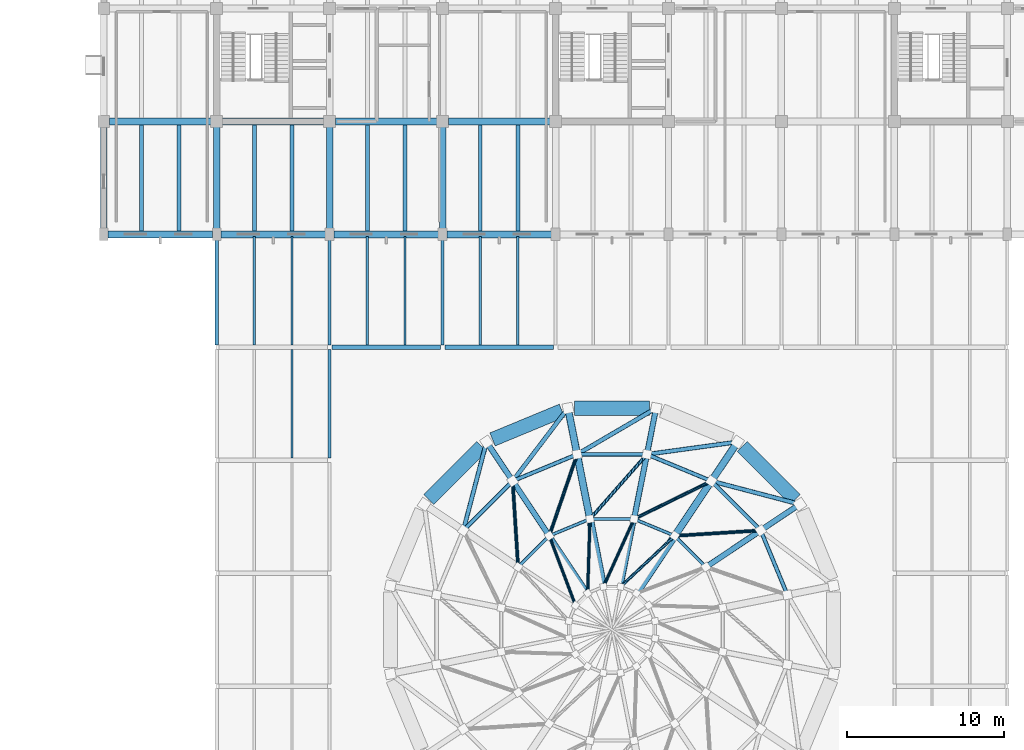
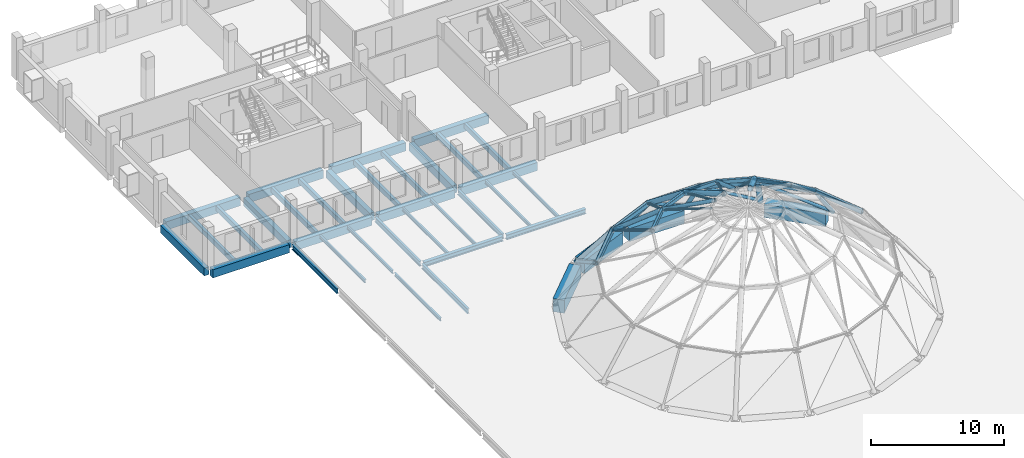
# One storey, part 10 of 32: 48 beams, 28 members.
"""IFC4 building model written with IfcOpenShell, lengths in metres."""

from ifc_helpers import new_model, si_unit, direction, frame, origin, origin_2d, place, context, subcontext, project, spatial, rectangle, hollow_rectangle, hollow_circle, i_section, extrude, material, material_profile, profile_set, type_object, element, save


model = new_model("IFC4")

# Units and contexts
model_context = context("Model", 3, precision=1e-05, world=origin(), true_north=direction((0.0, 1.0)))
body_context = subcontext(model_context, "Body", "Model", "MODEL_VIEW")
ifc_project = project(units=[si_unit("LENGTHUNIT", "METRE"), si_unit("AREAUNIT", "SQUARE_METRE"), si_unit("VOLUMEUNIT", "CUBIC_METRE"), si_unit("PLANEANGLEUNIT", "RADIAN"), si_unit("MASSUNIT", "GRAM", prefix="KILO")], contexts=[model_context])

# Site, building, storey
site_placement = place(None, origin())
site = spatial("IfcSite", under=ifc_project, at=site_placement, CompositionType="ELEMENT")
building_placement = place(site_placement, origin())
building = spatial("IfcBuilding", under=site, at=building_placement, Name="Qiaolan Assembly House", CompositionType="ELEMENT")
storey_placement = place(building_placement, frame((0.0, 0.0, 18.60009765625)))
storey = spatial("IfcBuildingStorey", under=building, at=storey_placement, Name="L04", CompositionType="ELEMENT", Elevation=18.60009765625)

# Beams
ifc_material_1 = material(Name="Steel Q355B", Category="steel")
ifc_material_profile_1 = material_profile(ifc_material_1, hollow_rectangle(XDim=0.199951171875, YDim=0.35009765625, WallThickness=0.010009765625, InnerFilletRadius=0.010009765625, OuterFilletRadius=0.02001953125, at=origin_2d()), Name="RHS 350x200x10")
ifc_profile_set_1 = profile_set([ifc_material_profile_1], Name="Steel Q355B")
beam_type_1 = type_object("IfcBeamType", Name="BM-DOME-RING-RHS350", PredefinedType="BEAM", material=ifc_profile_set_1)
beam_1_placement = place(storey_placement, frame((74.443115234375, 65.1435546875, 7.0), z_axis=(-0.707106781187, 0.707106781187, 0.0), x_axis=(-0.707106781187, -0.707106781187, 0.0)))
element("IfcBeam", 1, at=beam_1_placement, inside=storey, type_object=beam_type_1, Name="DB-02 dome circumferential steel ring T2-2", PredefinedType="BEAM", context=body_context, shape_type="SweptSolid", body=[
    extrude(hollow_rectangle(XDim=0.199951171875, YDim=0.35009765625, WallThickness=0.010009765625, InnerFilletRadius=0.010009765625, OuterFilletRadius=0.02001953125, at=origin_2d()), origin(), (0.0, 0.0, 1.0), 2.96923828125),
])
for number, where, z_axis, x_axis, name in (
    (2, (72.47412109375, 67.156005859375, 7.0), (-0.923894583631, 0.382647093728, 0.0), (-0.382647093728, -0.923894583631, 0.0), "DB-02 dome circumferential steel ring T2-3"),
    (3, (69.884765625, 68.26171875, 7.0), (-1.0, 0.0, 0.0), (0.0, -1.0, 0.0), "DB-02 dome circumferential steel ring T2-4"),
    (4, (67.0693359375, 68.292236328125, 7.0), (-0.923894583631, -0.382647093728, 0.0), (0.382647093728, -0.923894583631, 0.0), "DB-02 dome circumferential steel ring T2-5"),
):
    element("IfcBeam", number, at=place(storey_placement, frame(where, z_axis=z_axis, x_axis=x_axis)), inside=storey, type_object=beam_type_1, Name=name, PredefinedType="BEAM", context=body_context, shape_type="SweptSolid", body=[
        extrude(hollow_rectangle(XDim=0.199951171875, YDim=0.35009765625, WallThickness=0.010009765625, InnerFilletRadius=0.010009765625, OuterFilletRadius=0.02001953125, at=origin_2d()), origin(), (0.0, 0.0, 1.0), 2.969482421875),
    ])
beam_2_placement = place(storey_placement, frame((64.45654296875, 67.2431640625, 7.0), z_axis=(-0.707106781187, -0.707106781187, 0.0), x_axis=(0.707106781187, -0.707106781187, 0.0)))
element("IfcBeam", 5, at=beam_2_placement, inside=storey, type_object=beam_type_1, Name="DB-02 dome circumferential steel ring T2-6", PredefinedType="BEAM", context=body_context, shape_type="SweptSolid", body=[
    extrude(hollow_rectangle(XDim=0.199951171875, YDim=0.35009765625, WallThickness=0.010009765625, InnerFilletRadius=0.010009765625, OuterFilletRadius=0.02001953125, at=origin_2d()), origin(), (0.0, 0.0, 1.0), 2.96923828125),
])
ifc_material_profile_2 = material_profile(ifc_material_1, hollow_rectangle(XDim=0.25, YDim=0.39990234375, WallThickness=0.011962890625, InnerFilletRadius=0.011962890625, OuterFilletRadius=0.02392578125, at=origin_2d()), Name="RHS 400x250x12")
ifc_profile_set_2 = profile_set([ifc_material_profile_2], Name="Steel Q355B")
beam_type_2 = type_object("IfcBeamType", Name="BM-DOME-RING-RHS400", PredefinedType="BEAM", material=ifc_profile_set_2)
beam_3_placement = place(storey_placement, frame((79.611572265625, 63.35009765625, 3.7998046875), z_axis=(-0.382680895379, 0.923880583361, 0.0), x_axis=(-0.923880583361, -0.382680895379, 0.0)))
element("IfcBeam", 6, at=beam_3_placement, inside=storey, type_object=beam_type_2, Name="DB-01 dome circumferential steel ring T1-1", PredefinedType="BEAM", context=body_context, shape_type="SweptSolid", body=[
    extrude(hollow_rectangle(XDim=0.25, YDim=0.39990234375, WallThickness=0.011962890625, InnerFilletRadius=0.011962890625, OuterFilletRadius=0.02392578125, at=origin_2d()), origin(), (0.0, 0.0, 1.0), 4.608154296875),
])
beam_4_placement = place(storey_placement, frame((77.935302734375, 67.47705078125, 3.7998046875), z_axis=(-0.707106781187, 0.707106781187, 0.0), x_axis=(-0.707106781187, -0.707106781187, 0.0)))
element("IfcBeam", 7, at=beam_4_placement, inside=storey, type_object=beam_type_2, Name="DB-01 dome circumferential steel ring T1-2", PredefinedType="BEAM", context=body_context, shape_type="SweptSolid", body=[
    extrude(hollow_rectangle(XDim=0.25, YDim=0.39990234375, WallThickness=0.011962890625, InnerFilletRadius=0.011962890625, OuterFilletRadius=0.02392578125, at=origin_2d()), origin(), (0.0, 0.0, 1.0), 4.60791015625),
])
for number, where, z_axis, x_axis, name in (
    (8, (74.807373046875, 70.648193359375, 3.7998046875), (-0.923880583361, 0.382680895379, 0.0), (-0.382680895379, -0.923880583361, 0.0), "DB-01 dome circumferential steel ring T1-3"),
    (9, (70.7041015625, 72.380859375, 3.7998046875), (-1.0, 0.0, 0.0), (0.0, -1.0, 0.0), "DB-01 dome circumferential steel ring T1-4"),
    (10, (66.25, 72.41162109375, 3.7998046875), (-0.923880583361, -0.382680895379, 0.0), (0.382680895379, -0.923880583361, 0.0), "DB-01 dome circumferential steel ring T1-5"),
):
    element("IfcBeam", number, at=place(storey_placement, frame(where, z_axis=z_axis, x_axis=x_axis)), inside=storey, type_object=beam_type_2, Name=name, PredefinedType="BEAM", context=body_context, shape_type="SweptSolid", body=[
        extrude(hollow_rectangle(XDim=0.25, YDim=0.39990234375, WallThickness=0.011962890625, InnerFilletRadius=0.011962890625, OuterFilletRadius=0.02392578125, at=origin_2d()), origin(), (0.0, 0.0, 1.0), 4.608154296875),
    ])
beam_5_placement = place(storey_placement, frame((62.123046875, 70.7353515625, 3.7998046875), z_axis=(-0.707106781187, -0.707106781187, 0.0), x_axis=(0.707106781187, -0.707106781187, 0.0)))
element("IfcBeam", 11, at=beam_5_placement, inside=storey, type_object=beam_type_2, Name="DB-01 dome circumferential steel ring T1-6", PredefinedType="BEAM", context=body_context, shape_type="SweptSolid", body=[
    extrude(hollow_rectangle(XDim=0.25, YDim=0.39990234375, WallThickness=0.011962890625, InnerFilletRadius=0.011962890625, OuterFilletRadius=0.02392578125, at=origin_2d()), origin(), (0.0, 0.0, 1.0), 4.60791015625),
])
ifc_material_2 = material(Name="Concrete C40/50", Category="concrete")
ifc_material_profile_3 = material_profile(ifc_material_2, rectangle(XDim=0.409912109375, YDim=0.7099609375, at=origin_2d()), Name="RCB 410x710")
ifc_profile_set_3 = profile_set([ifc_material_profile_3], Name="Concrete C40/50")
beam_type_3 = type_object("IfcBeamType", Name="BM-RC-410x710", PredefinedType="BEAM", material=ifc_profile_set_3)
for number, where, z_axis, x_axis, name in (
    (12, (36.0, 86.669921875, -0.585205078125), (0.0, 1.0, 0.0), (-1.0, 0.0, 0.0), "GB-17 beam BMY-NW-L04-00-00"),
    (13, (43.199951171875, 86.669921875, -0.585205078125), (0.0, 1.0, 0.0), (-1.0, 0.0, 0.0), "GB-17 beam BMY-NW-L04-01-00"),
    (14, (50.39990234375, 86.669921875, -0.585205078125), (0.0, 1.0, 0.0), (-1.0, 0.0, 0.0), "GB-17 beam BMY-NW-L04-02-00"),
    (15, (57.60009765625, 86.669921875, -0.585205078125), (0.0, 1.0, 0.0), (-1.0, 0.0, 0.0), "GB-17 beam BMY-NW-L04-03-00"),
):
    element("IfcBeam", number, at=place(storey_placement, frame(where, z_axis=z_axis, x_axis=x_axis)), inside=storey, type_object=beam_type_3, Name=name, PredefinedType="BEAM", context=body_context, shape_type="SweptSolid", body=[
        extrude(rectangle(XDim=0.409912109375, YDim=0.7099609375, at=origin_2d()), origin(), (0.0, 0.0, 1.0), 6.565185546875),
    ])
ifc_material_profile_4 = material_profile(ifc_material_2, rectangle(XDim=0.4599609375, YDim=0.760009765625, at=origin_2d()), Name="RCB 460x760")
ifc_profile_set_4 = profile_set([ifc_material_profile_4], Name="Concrete C40/50")
beam_type_4 = type_object("IfcBeamType", Name="BM-RC-460x760", PredefinedType="BEAM", material=ifc_profile_set_4)
for number, where, z_axis, x_axis, name in (
    (16, (36.27001953125, 86.39990234375, -0.610107421875), (1.0, 0.0, 0.0), (0.0, 1.0, 0.0), "GB-15 beam BMX-NW-L04-00-00"),
    (17, (43.469970703125, 86.39990234375, -0.610107421875), (1.0, 0.0, 0.0), (0.0, 1.0, 0.0), "GB-15 beam BMX-NW-L04-01-00"),
):
    element("IfcBeam", number, at=place(storey_placement, frame(where, z_axis=z_axis, x_axis=x_axis)), inside=storey, type_object=beam_type_4, Name=name, PredefinedType="BEAM", context=body_context, shape_type="SweptSolid", body=[
        extrude(rectangle(XDim=0.4599609375, YDim=0.760009765625, at=origin_2d()), origin(), (0.0, 0.0, 1.0), 6.659912109375),
    ])
beam_6_placement = place(storey_placement, frame((50.669921875, 86.39990234375, -0.610107421875), z_axis=(1.0, 0.0, 0.0), x_axis=(0.0, 1.0, 0.0)))
element("IfcBeam", 18, at=beam_6_placement, inside=storey, type_object=beam_type_4, Name="GB-15 beam BMX-NW-L04-02-00", PredefinedType="BEAM", context=body_context, shape_type="SweptSolid", body=[
    extrude(rectangle(XDim=0.4599609375, YDim=0.760009765625, at=origin_2d()), origin(), (0.0, 0.0, 1.0), 6.66015625),
])
beam_7_placement = place(storey_placement, frame((57.8701171875, 86.39990234375, -0.610107421875), z_axis=(1.0, 0.0, 0.0), x_axis=(0.0, 1.0, 0.0)))
element("IfcBeam", 19, at=beam_7_placement, inside=storey, type_object=beam_type_4, Name="GB-15 beam BMX-NW-L04-03-00", PredefinedType="BEAM", context=body_context, shape_type="SweptSolid", body=[
    extrude(rectangle(XDim=0.4599609375, YDim=0.760009765625, at=origin_2d()), origin(), (0.0, 0.0, 1.0), 6.659912109375),
])
for number, where, z_axis, x_axis, name in (
    (20, (36.364990234375, 93.60009765625, -0.610107421875), (1.0, 0.0, 0.0), (0.0, 1.0, 0.0), "GB-15 beam BMX-NW-L04-00-01"),
    (21, (43.56494140625, 93.60009765625, -0.610107421875), (1.0, 0.0, 0.0), (0.0, 1.0, 0.0), "GB-15 beam BMX-NW-L04-01-01"),
):
    element("IfcBeam", number, at=place(storey_placement, frame(where, z_axis=z_axis, x_axis=x_axis)), inside=storey, type_object=beam_type_4, Name=name, PredefinedType="BEAM", context=body_context, shape_type="SweptSolid", body=[
        extrude(rectangle(XDim=0.4599609375, YDim=0.760009765625, at=origin_2d()), origin(), (0.0, 0.0, 1.0), 6.469970703125),
    ])
beam_8_placement = place(storey_placement, frame((50.764892578125, 93.60009765625, -0.610107421875), z_axis=(1.0, 0.0, 0.0), x_axis=(0.0, 1.0, 0.0)))
element("IfcBeam", 22, at=beam_8_placement, inside=storey, type_object=beam_type_4, Name="GB-15 beam BMX-NW-L04-02-01", PredefinedType="BEAM", context=body_context, shape_type="SweptSolid", body=[
    extrude(rectangle(XDim=0.4599609375, YDim=0.760009765625, at=origin_2d()), origin(), (0.0, 0.0, 1.0), 6.47021484375),
])
beam_9_placement = place(storey_placement, frame((57.965087890625, 93.60009765625, -0.610107421875), z_axis=(1.0, 0.0, 0.0), x_axis=(0.0, 1.0, 0.0)))
element("IfcBeam", 23, at=beam_9_placement, inside=storey, type_object=beam_type_4, Name="GB-15 beam BMX-NW-L04-03-01", PredefinedType="BEAM", context=body_context, shape_type="SweptSolid", body=[
    extrude(rectangle(XDim=0.4599609375, YDim=0.760009765625, at=origin_2d()), origin(), (0.0, 0.0, 1.0), 6.469970703125),
])
ifc_material_3 = material(Name="Concrete C50/60", Category="concrete")
ifc_material_profile_5 = material_profile(ifc_material_3, rectangle(XDim=0.89990234375, YDim=1.199951171875, at=origin_2d()), Name="RCB 900x1200")
ifc_profile_set_5 = profile_set([ifc_material_profile_5], Name="Concrete C50/60")
beam_type_5 = type_object("IfcBeamType", Name="BM-RING-900x1200", PredefinedType="BEAM", material=ifc_profile_set_5)
for number, where, z_axis, x_axis, name in (
    (24, (80.079833984375, 69.49365234375, -0.60009765625), (-0.707132272157, 0.707081289297, 0.0), (-0.707081289297, -0.707132272157, 0.0), "RB-01 beam BM-DOME-THRUST-RING-01"),
    (25, (70.794189453125, 75.3232421875, -0.60009765625), (-1.0, 0.0, 0.0), (0.0, -1.0, 0.0), "RB-01 beam BM-DOME-THRUST-RING-03"),
    (26, (65.207275390625, 75.16455078125, -0.60009765625), (-0.923878882938, -0.38268500057, 0.0), (0.38268500057, -0.923878882938, 0.0), "RB-01 beam BM-DOME-THRUST-RING-04"),
    (27, (60.1064453125, 72.879638671875, -0.60009765625), (-0.707132272157, -0.707081289297, 0.0), (0.707081289297, -0.707132272157, 0.0), "RB-01 beam BM-DOME-THRUST-RING-05"),
):
    element("IfcBeam", number, at=place(storey_placement, frame(where, z_axis=z_axis, x_axis=x_axis)), inside=storey, type_object=beam_type_5, Name=name, PredefinedType="BEAM", context=body_context, shape_type="SweptSolid", body=[
        extrude(rectangle(XDim=0.89990234375, YDim=1.199951171875, at=origin_2d()), origin(), (0.0, 0.0, 1.0), 4.78857421875),
    ])
ifc_material_profile_6 = material_profile(ifc_material_1, i_section(OverallWidth=0.300048828125, OverallDepth=0.43994140625, WebThickness=0.010986328125, FlangeThickness=0.01806640625, FilletRadius=0.02001953125, at=origin_2d()), Name="HM 440x300x11x18")
ifc_profile_set_6 = profile_set([ifc_material_profile_6], Name="Steel Q355B")
beam_type_6 = type_object("IfcBeamType", Name="BM-STL-HM440", PredefinedType="BEAM", material=ifc_profile_set_6)
beam_10_placement = place(storey_placement, frame((50.544921875, 79.199951171875, -0.465087890625), z_axis=(1.0, 0.0, 0.0), x_axis=(0.0, 1.0, 0.0)))
element("IfcBeam", 28, at=beam_10_placement, inside=storey, type_object=beam_type_6, Name="SB-06 beam BMX-HLCR-L04-01-06", PredefinedType="BEAM", context=body_context, shape_type="SweptSolid", body=[
    extrude(i_section(OverallWidth=0.300048828125, OverallDepth=0.43994140625, WebThickness=0.010986328125, FlangeThickness=0.01806640625, FilletRadius=0.02001953125, at=origin_2d()), origin(), (0.0, 0.0, 1.0), 6.91015625),
])
beam_11_placement = place(storey_placement, frame((57.7451171875, 79.199951171875, -0.465087890625), z_axis=(1.0, 0.0, 0.0), x_axis=(0.0, 1.0, 0.0)))
element("IfcBeam", 29, at=beam_11_placement, inside=storey, type_object=beam_type_6, Name="SB-06 beam BMX-HLCR-L04-02-06", PredefinedType="BEAM", context=body_context, shape_type="SweptSolid", body=[
    extrude(i_section(OverallWidth=0.300048828125, OverallDepth=0.43994140625, WebThickness=0.010986328125, FlangeThickness=0.01806640625, FilletRadius=0.02001953125, at=origin_2d()), origin(), (0.0, 0.0, 1.0), 6.909912109375),
])
ifc_material_profile_7 = material_profile(ifc_material_1, i_section(OverallWidth=0.199951171875, OverallDepth=0.449951171875, WebThickness=0.009033203125, FlangeThickness=0.013916015625, FilletRadius=0.01611328125, at=origin_2d()), Name="HN 450x200x9x14")
ifc_profile_set_7 = profile_set([ifc_material_profile_7], Name="Steel Q355B")
beam_type_7 = type_object("IfcBeamType", Name="BM-STL-HN450", PredefinedType="BEAM", material=ifc_profile_set_7)
beam_12_placement = place(storey_placement, frame((43.199951171875, 79.344970703125, -0.47021484375), z_axis=(0.0, 1.0, 0.0), x_axis=(-1.0, 0.0, 0.0)))
element("IfcBeam", 30, at=beam_12_placement, inside=storey, type_object=beam_type_7, Name="SB-07 beam BMY-HLCR-L04-00-06", PredefinedType="BEAM", context=body_context, shape_type="SweptSolid", body=[
    extrude(i_section(OverallWidth=0.199951171875, OverallDepth=0.449951171875, WebThickness=0.009033203125, FlangeThickness=0.013916015625, FilletRadius=0.01611328125, at=origin_2d()), origin(), (0.0, 0.0, 1.0), 6.784912109375),
])
beam_13_placement = place(storey_placement, frame((50.39990234375, 72.14501953125, -0.47021484375), z_axis=(0.0, 1.0, 0.0), x_axis=(-1.0, 0.0, 0.0)))
element("IfcBeam", 31, at=beam_13_placement, inside=storey, type_object=beam_type_7, Name="SB-07 beam BMY-HLCR-L04-01-05", PredefinedType="BEAM", context=body_context, shape_type="SweptSolid", body=[
    extrude(i_section(OverallWidth=0.199951171875, OverallDepth=0.449951171875, WebThickness=0.009033203125, FlangeThickness=0.013916015625, FilletRadius=0.01611328125, at=origin_2d()), origin(), (0.0, 0.0, 1.0), 6.909912109375),
])
for number, where, z_axis, x_axis, name in (
    (32, (50.39990234375, 79.344970703125, -0.47021484375), (0.0, 1.0, 0.0), (-1.0, 0.0, 0.0), "SB-07 beam BMY-HLCR-L04-01-06"),
    (33, (57.60009765625, 79.344970703125, -0.47021484375), (0.0, 1.0, 0.0), (-1.0, 0.0, 0.0), "SB-07 beam BMY-HLCR-L04-02-06"),
):
    element("IfcBeam", number, at=place(storey_placement, frame(where, z_axis=z_axis, x_axis=x_axis)), inside=storey, type_object=beam_type_7, Name=name, PredefinedType="BEAM", context=body_context, shape_type="SweptSolid", body=[
        extrude(i_section(OverallWidth=0.199951171875, OverallDepth=0.449951171875, WebThickness=0.009033203125, FlangeThickness=0.013916015625, FilletRadius=0.01611328125, at=origin_2d()), origin(), (0.0, 0.0, 1.0), 6.784912109375),
    ])
ifc_material_profile_8 = material_profile(ifc_material_2, rectangle(XDim=0.25, YDim=0.449951171875, at=origin_2d()), Name="RCB 250x450")
ifc_profile_set_8 = profile_set([ifc_material_profile_8], Name="Concrete C40/50")
beam_type_8 = type_object("IfcBeamType", Name="JST-RC-250x450", PredefinedType="JOIST", material=ifc_profile_set_8)
for number, where, z_axis, x_axis, name in (
    (34, (38.39990234375, 86.6240234375, -0.455078125), (0.0, 1.0, 0.0), (-1.0, 0.0, 0.0), "RJ-02 beam JST-NW-L04-00-00-1"),
    (35, (40.800048828125, 86.6240234375, -0.455078125), (0.0, 1.0, 0.0), (-1.0, 0.0, 0.0), "RJ-02 beam JST-NW-L04-00-00-2"),
    (36, (45.60009765625, 86.6240234375, -0.455078125), (0.0, 1.0, 0.0), (-1.0, 0.0, 0.0), "RJ-02 beam JST-NW-L04-01-00-1"),
    (37, (48.0, 86.6240234375, -0.455078125), (0.0, 1.0, 0.0), (-1.0, 0.0, 0.0), "RJ-02 beam JST-NW-L04-01-00-2"),
    (38, (52.800048828125, 86.6240234375, -0.455078125), (0.0, 1.0, 0.0), (-1.0, 0.0, 0.0), "RJ-02 beam JST-NW-L04-02-00-1"),
    (39, (55.199951171875, 86.6240234375, -0.455078125), (0.0, 1.0, 0.0), (-1.0, 0.0, 0.0), "RJ-02 beam JST-NW-L04-02-00-2"),
    (40, (60.0, 86.6240234375, -0.455078125), (0.0, 1.0, 0.0), (-1.0, 0.0, 0.0), "RJ-02 beam JST-NW-L04-03-00-1"),
    (41, (62.39990234375, 86.6240234375, -0.455078125), (0.0, 1.0, 0.0), (-1.0, 0.0, 0.0), "RJ-02 beam JST-NW-L04-03-00-2"),
):
    element("IfcBeam", number, at=place(storey_placement, frame(where, z_axis=z_axis, x_axis=x_axis)), inside=storey, type_object=beam_type_8, Name=name, PredefinedType="JOIST", context=body_context, shape_type="SweptSolid", body=[
        extrude(rectangle(XDim=0.25, YDim=0.449951171875, at=origin_2d()), origin(), (0.0, 0.0, 1.0), 6.751953125),
    ])
ifc_material_profile_9 = material_profile(ifc_material_1, i_section(OverallWidth=0.14990234375, OverallDepth=0.300048828125, WebThickness=0.006591796875, FlangeThickness=0.009033203125, FilletRadius=0.012939453125, at=origin_2d()), Name="HN 300x150x6.5x9")
ifc_profile_set_9 = profile_set([ifc_material_profile_9], Name="Steel Q355B")
beam_type_9 = type_object("IfcBeamType", Name="JST-STL-HN300", PredefinedType="JOIST", material=ifc_profile_set_9)
beam_14_placement = place(storey_placement, frame((48.0, 72.14404296875, -0.39501953125), z_axis=(0.0, 1.0, 0.0), x_axis=(-1.0, 0.0, 0.0)))
element("IfcBeam", 42, at=beam_14_placement, inside=storey, type_object=beam_type_9, Name="SJ-02 beam JST-HLCR-L04-00-05-2", PredefinedType="JOIST", context=body_context, shape_type="SweptSolid", body=[
    extrude(i_section(OverallWidth=0.14990234375, OverallDepth=0.300048828125, WebThickness=0.006591796875, FlangeThickness=0.009033203125, FilletRadius=0.012939453125, at=origin_2d()), origin(), (0.0, 0.0, 1.0), 6.911865234375),
])
for number, where, z_axis, x_axis, name in (
    (43, (45.60009765625, 79.343994140625, -0.39501953125), (0.0, 1.0, 0.0), (-1.0, 0.0, 0.0), "SJ-02 beam JST-HLCR-L04-00-06-1"),
    (44, (48.0, 79.343994140625, -0.39501953125), (0.0, 1.0, 0.0), (-1.0, 0.0, 0.0), "SJ-02 beam JST-HLCR-L04-00-06-2"),
    (45, (52.800048828125, 79.343994140625, -0.39501953125), (0.0, 1.0, 0.0), (-1.0, 0.0, 0.0), "SJ-02 beam JST-HLCR-L04-01-06-1"),
    (46, (55.199951171875, 79.343994140625, -0.39501953125), (0.0, 1.0, 0.0), (-1.0, 0.0, 0.0), "SJ-02 beam JST-HLCR-L04-01-06-2"),
    (47, (60.0, 79.343994140625, -0.39501953125), (0.0, 1.0, 0.0), (-1.0, 0.0, 0.0), "SJ-02 beam JST-HLCR-L04-02-06-1"),
    (48, (62.39990234375, 79.343994140625, -0.39501953125), (0.0, 1.0, 0.0), (-1.0, 0.0, 0.0), "SJ-02 beam JST-HLCR-L04-02-06-2"),
):
    element("IfcBeam", number, at=place(storey_placement, frame(where, z_axis=z_axis, x_axis=x_axis)), inside=storey, type_object=beam_type_9, Name=name, PredefinedType="JOIST", context=body_context, shape_type="SweptSolid", body=[
        extrude(i_section(OverallWidth=0.14990234375, OverallDepth=0.300048828125, WebThickness=0.006591796875, FlangeThickness=0.009033203125, FilletRadius=0.012939453125, at=origin_2d()), origin(), (0.0, 0.0, 1.0), 6.912109375),
    ])

# Members
ifc_material_profile_10 = material_profile(ifc_material_1, hollow_circle(Radius=0.096923828125, WallThickness=0.008056640625, at=origin_2d()), Name="CHS 194x8")
ifc_profile_set_10 = profile_set([ifc_material_profile_10], Name="Steel Q355B")
member_type_1 = type_object("IfcMemberType", Name="MBR-BRACE-DOME-CHS194", PredefinedType="BRACE", material=ifc_profile_set_10)
member_1_placement = place(storey_placement, frame((72.453125, 67.236328125, 6.96630859375), z_axis=(-0.661410088777, -0.620539744494, 0.421268465432), x_axis=(0.684215595235, -0.729279794892, 0.0)))
element("IfcMember", 49, at=member_1_placement, inside=storey, type_object=member_type_1, Name="BR-04 dome wind-uplift brace T2-3", PredefinedType="BRACE", context=body_context, shape_type="SweptSolid", body=[
    extrude(hollow_circle(Radius=0.096923828125, WallThickness=0.008056640625, at=origin_2d()), origin(), (0.0, 0.0, 1.0), 5.382080078125),
])
member_2_placement = place(storey_placement, frame((69.83447265625, 68.327880859375, 6.96630859375), z_axis=(-0.373562898037, -0.826420021426, 0.421284594302), x_axis=(0.911229527148, -0.411898954664, 0.0)))
element("IfcMember", 50, at=member_2_placement, inside=storey, type_object=member_type_1, Name="BR-04 dome wind-uplift brace T2-4", PredefinedType="BRACE", context=body_context, shape_type="SweptSolid", body=[
    extrude(hollow_circle(Radius=0.096923828125, WallThickness=0.008056640625, at=origin_2d()), origin(), (0.0, 0.0, 1.0), 5.3818359375),
])
member_3_placement = place(storey_placement, frame((66.99755859375, 68.334228515625, 6.96630859375), z_axis=(-0.028895667026, -0.906471136864, 0.421277958668), x_axis=(0.999492312272, -0.031860911921, 0.0)))
element("IfcMember", 51, at=member_3_placement, inside=storey, type_object=member_type_1, Name="BR-04 dome wind-uplift brace T2-5", PredefinedType="BRACE", context=body_context, shape_type="SweptSolid", body=[
    extrude(hollow_circle(Radius=0.096923828125, WallThickness=0.008056640625, at=origin_2d()), origin(), (0.0, 0.0, 1.0), 5.382080078125),
])
member_4_placement = place(storey_placement, frame((64.374267578125, 67.25439453125, 6.96630859375), z_axis=(0.320176896481, -0.848527748468, 0.421292552794), x_axis=(0.935609824034, 0.353035773217, 0.0)))
element("IfcMember", 52, at=member_4_placement, inside=storey, type_object=member_type_1, Name="BR-04 dome wind-uplift brace T2-6", PredefinedType="BRACE", context=body_context, shape_type="SweptSolid", body=[
    extrude(hollow_circle(Radius=0.096923828125, WallThickness=0.008056640625, at=origin_2d()), origin(), (0.0, 0.0, 1.0), 5.3818359375),
])
ifc_material_profile_11 = material_profile(ifc_material_1, hollow_circle(Radius=0.109619140625, WallThickness=0.008056640625, at=origin_2d()), Name="CHS 219.1x8")
ifc_profile_set_11 = profile_set([ifc_material_profile_11], Name="Steel Q355B")
member_type_2 = type_object("IfcMemberType", Name="MBR-BRACE-DOME-CHS219", PredefinedType="BRACE", material=ifc_profile_set_11)
for number, where, z_axis, x_axis, name in (
    (53, (77.94775390625, 67.537841796875, 3.759521484375), (-0.862199181048, -0.0546041992, 0.503617864684), (0.063204679343, -0.998000585425, 0.0), "BR-02 dome wind-uplift brace T1-2"),
    (54, (74.795654296875, 70.709228515625, 3.759521484375), (-0.775670216002, -0.38039583961, 0.503621605191), (0.440311516353, -0.897845069356, 0.0), "BR-02 dome wind-uplift brace T1-3"),
    (55, (70.669677734375, 72.432861328125, 3.759521484375), (-0.571044024266, -0.648285064761, 0.503622077711), (0.750395880245, -0.660988670788, 0.0), "BR-02 dome wind-uplift brace T1-4"),
    (56, (66.1982421875, 72.4462890625, 3.759521484375), (-0.279507246244, -0.817459379871, 0.503622737333), (0.946217115424, -0.323532332974, 0.0), "BR-02 dome wind-uplift brace T1-5"),
    (57, (62.06201171875, 70.747802734375, 3.759521484375), (0.0546041992, -0.862199181048, 0.503617864684), (0.998000585425, 0.063204679343, 0.0), "BR-02 dome wind-uplift brace T1-6"),
):
    element("IfcMember", number, at=place(storey_placement, frame(where, z_axis=z_axis, x_axis=x_axis)), inside=storey, type_object=member_type_2, Name=name, PredefinedType="BRACE", context=body_context, shape_type="SweptSolid", body=[
        extrude(hollow_circle(Radius=0.109619140625, WallThickness=0.008056640625, at=origin_2d()), origin(), (0.0, 0.0, 1.0), 6.514404296875),
    ])
ifc_material_profile_12 = material_profile(ifc_material_1, hollow_circle(Radius=0.136474609375, WallThickness=0.010009765625, at=origin_2d()), Name="CHS 273x10")
ifc_profile_set_12 = profile_set([ifc_material_profile_12], Name="Steel Q355B")
member_type_3 = type_object("IfcMemberType", Name="MBR-BRACE-DOME-CHS273", PredefinedType="BRACE", material=ifc_profile_set_12)
for number, where, z_axis, x_axis, name in (
    (58, (80.43798828125, 69.18310546875, -0.043701171875), (-0.810381863531, 0.212480471687, 0.546015827986), (-0.253624788594, -0.9673026758, 0.0), "BR-01 dome wind-uplift brace T0-2"),
    (59, (76.466552734375, 73.182373046875, -0.043701171875), (-0.830000956617, -0.113853785728, 0.546018065168), (0.135900454113, -0.990722497257, 0.0), "BR-01 dome wind-uplift brace T0-3"),
    (60, (71.26708984375, 75.357177734375, -0.043701171875), (-0.723252379103, -0.422806001989, 0.546022967286), (0.504680160048, -0.863306397552, 0.0), "BR-01 dome wind-uplift brace T0-4"),
):
    element("IfcMember", number, at=place(storey_placement, frame(where, z_axis=z_axis, x_axis=x_axis)), inside=storey, type_object=member_type_3, Name=name, PredefinedType="BRACE", context=body_context, shape_type="SweptSolid", body=[
        extrude(hollow_circle(Radius=0.136474609375, WallThickness=0.010009765625, at=origin_2d()), origin(), (0.0, 0.0, 1.0), 7.119140625),
    ])
member_5_placement = place(storey_placement, frame((65.631103515625, 75.376708984375, -0.043701171875), z_axis=(-0.506401514391, -0.667406126707, 0.546009677804), x_axis=(0.796637576051, -0.604457254422, 0.0)))
element("IfcMember", 61, at=member_5_placement, inside=storey, type_object=member_type_3, Name="BR-01 dome wind-uplift brace T0-5", PredefinedType="BRACE", context=body_context, shape_type="SweptSolid", body=[
    extrude(hollow_circle(Radius=0.136474609375, WallThickness=0.010009765625, at=origin_2d()), origin(), (0.0, 0.0, 1.0), 7.119384765625),
])
member_6_placement = place(storey_placement, frame((60.416748046875, 73.238037109375, -0.043701171875), z_axis=(-0.212447726427, -0.810387768071, 0.546019806323), x_axis=(0.967312717474, -0.253586487442, 0.0)))
element("IfcMember", 62, at=member_6_placement, inside=storey, type_object=member_type_3, Name="BR-01 dome wind-uplift brace T0-6", PredefinedType="BRACE", context=body_context, shape_type="SweptSolid", body=[
    extrude(hollow_circle(Radius=0.136474609375, WallThickness=0.010009765625, at=origin_2d()), origin(), (0.0, 0.0, 1.0), 7.119140625),
])
ifc_material_profile_13 = material_profile(ifc_material_1, hollow_circle(Radius=0.16259765625, WallThickness=0.010009765625, at=origin_2d()), Name="CHS 325x10")
ifc_profile_set_13 = profile_set([ifc_material_profile_13], Name="Steel Q355B")
member_type_4 = type_object("IfcMemberType", Name="MBR-DOME-RIB-CHS325", PredefinedType="CHORD", material=ifc_profile_set_13)
for number, where, z_axis, x_axis, name in (
    (63, (69.822021484375, 68.349365234375, 6.955078125), (-0.1744932576, -0.877235166318, 0.44722540852), (0.980785208968, -0.195090681142, 0.0), "DR-03 secondary dome radial rib bay 2"),
    (64, (64.35009765625, 67.260986328125, 6.955078125), (0.496925636092, -0.743671628524, 0.447233072483), (0.831459210304, 0.555585800395, 0.0), "DR-03 secondary dome radial rib bay 3"),
):
    element("IfcMember", number, at=place(storey_placement, frame(where, z_axis=z_axis, x_axis=x_axis)), inside=storey, type_object=member_type_4, Name=name, PredefinedType="CHORD", context=body_context, shape_type="SweptSolid", body=[
        extrude(hollow_circle(Radius=0.16259765625, WallThickness=0.010009765625, at=origin_2d()), origin(), (0.0, 0.0, 1.0), 5.119384765625),
    ])
ifc_material_profile_14 = material_profile(ifc_material_1, hollow_circle(Radius=0.177734375, WallThickness=0.011962890625, at=origin_2d()), Name="CHS 355.6x12")
ifc_profile_set_14 = profile_set([ifc_material_profile_14], Name="Steel Q355B")
member_type_5 = type_object("IfcMemberType", Name="MBR-DOME-RIB-CHS355", PredefinedType="CHORD", material=ifc_profile_set_14)
for number, where, z_axis, x_axis, name in (
    (65, (80.4453125, 69.248291015625, -0.10986328125), (-0.51523982601, -0.344245930004, 0.78487111131), (0.555540873375, -0.83148922904, 0.0), "DR-02 secondary dome radial rib bay 1"),
    (66, (71.226318359375, 75.408447265625, -0.10986328125), (-0.120880866561, -0.607767472972, 0.784860825176), (0.980788862168, -0.195072314404, 0.0), "DR-02 secondary dome radial rib bay 2"),
    (67, (60.3515625, 73.245361328125, -0.10986328125), (0.344245930004, -0.51523982601, 0.78487111131), (0.83148922904, 0.555540873375, 0.0), "DR-02 secondary dome radial rib bay 3"),
):
    element("IfcMember", number, at=place(storey_placement, frame(where, z_axis=z_axis, x_axis=x_axis)), inside=storey, type_object=member_type_5, Name=name, PredefinedType="CHORD", context=body_context, shape_type="SweptSolid", body=[
        extrude(hollow_circle(Radius=0.177734375, WallThickness=0.011962890625, at=origin_2d()), origin(), (0.0, 0.0, 1.0), 5.08154296875),
    ])
member_7_placement = place(storey_placement, frame((77.94482421875, 67.57763671875, 3.7392578125), z_axis=(-0.661360796883, -0.441902172064, 0.606072905409), x_axis=(0.555565900771, -0.831472507002, 0.0)))
element("IfcMember", 68, at=member_7_placement, inside=storey, type_object=member_type_5, Name="DR-02 secondary dome radial rib bay 1", PredefinedType="CHORD", context=body_context, shape_type="SweptSolid", body=[
    extrude(hollow_circle(Radius=0.177734375, WallThickness=0.011962890625, at=origin_2d()), origin(), (0.0, 0.0, 1.0), 5.47998046875),
])
for number, where, z_axis, x_axis, name in (
    (69, (70.6396484375, 72.458984375, 3.7392578125), (-0.155208601508, -0.780141512516, 0.606044148942), (0.980778350386, -0.195125158334, 0.0), "DR-02 secondary dome radial rib bay 2"),
    (70, (62.022216796875, 70.744873046875, 3.7392578125), (0.441925001499, -0.661372839945, 0.606043116975), (0.831463922074, 0.555578748954, 0.0), "DR-02 secondary dome radial rib bay 3"),
):
    element("IfcMember", number, at=place(storey_placement, frame(where, z_axis=z_axis, x_axis=x_axis)), inside=storey, type_object=member_type_5, Name=name, PredefinedType="CHORD", context=body_context, shape_type="SweptSolid", body=[
        extrude(hollow_circle(Radius=0.177734375, WallThickness=0.011962890625, at=origin_2d()), origin(), (0.0, 0.0, 1.0), 5.480224609375),
    ])
ifc_material_profile_15 = material_profile(ifc_material_1, hollow_circle(Radius=0.228515625, WallThickness=0.01611328125, at=origin_2d()), Name="CHS 457x16")
ifc_profile_set_15 = profile_set([ifc_material_profile_15], Name="Steel Q355B")
member_type_6 = type_object("IfcMemberType", Name="MBR-DOME-RIB-CHS457", PredefinedType="CHORD", material=ifc_profile_set_15)
for number, where, z_axis, x_axis, name in (
    (71, (76.448486328125, 73.245361328125, -0.10986328125), (-0.344288280799, -0.515231303836, 0.784858129379), (0.831453413236, -0.555594475872, 0.0), "DR-01 primary dome radial rib bay 2"),
    (72, (65.57373046875, 75.408447265625, -0.10986328125), (0.120880866561, -0.607767472972, 0.784860825176), (0.980788862168, 0.195072314404, 0.0), "DR-01 primary dome radial rib bay 3"),
):
    element("IfcMember", number, at=place(storey_placement, frame(where, z_axis=z_axis, x_axis=x_axis)), inside=storey, type_object=member_type_6, Name=name, PredefinedType="CHORD", context=body_context, shape_type="SweptSolid", body=[
        extrude(hollow_circle(Radius=0.228515625, WallThickness=0.01611328125, at=origin_2d()), origin(), (0.0, 0.0, 1.0), 5.08154296875),
    ])
for number, where, z_axis, x_axis, name in (
    (73, (74.777587890625, 70.744873046875, 3.7392578125), (-0.441889151845, -0.661385860298, 0.60605504806), (0.83148979356, -0.555540028447, 0.0), "DR-01 primary dome radial rib bay 2"),
    (74, (66.160400390625, 72.458984375, 3.7392578125), (0.155208601508, -0.780141512516, 0.606044148942), (0.980778350386, 0.195125158334, 0.0), "DR-01 primary dome radial rib bay 3"),
):
    element("IfcMember", number, at=place(storey_placement, frame(where, z_axis=z_axis, x_axis=x_axis)), inside=storey, type_object=member_type_6, Name=name, PredefinedType="CHORD", context=body_context, shape_type="SweptSolid", body=[
        extrude(hollow_circle(Radius=0.228515625, WallThickness=0.01611328125, at=origin_2d()), origin(), (0.0, 0.0, 1.0), 5.480224609375),
    ])
member_8_placement = place(storey_placement, frame((72.44970703125, 67.260986328125, 6.955078125), z_axis=(-0.496889721451, -0.743689251973, 0.447243670963), x_axis=(0.831483840845, -0.55554893791, 0.0)))
element("IfcMember", 75, at=member_8_placement, inside=storey, type_object=member_type_6, Name="DR-01 primary dome radial rib bay 2", PredefinedType="CHORD", context=body_context, shape_type="SweptSolid", body=[
    extrude(hollow_circle(Radius=0.228515625, WallThickness=0.01611328125, at=origin_2d()), origin(), (0.0, 0.0, 1.0), 5.119140625),
])
member_9_placement = place(storey_placement, frame((66.977783203125, 68.349365234375, 6.955078125), z_axis=(0.1744932576, -0.877235166318, 0.44722540852), x_axis=(0.980785208968, 0.195090681142, 0.0)))
element("IfcMember", 76, at=member_9_placement, inside=storey, type_object=member_type_6, Name="DR-01 primary dome radial rib bay 3", PredefinedType="CHORD", context=body_context, shape_type="SweptSolid", body=[
    extrude(hollow_circle(Radius=0.228515625, WallThickness=0.01611328125, at=origin_2d()), origin(), (0.0, 0.0, 1.0), 5.119384765625),
])

save(model, "model.ifc")
